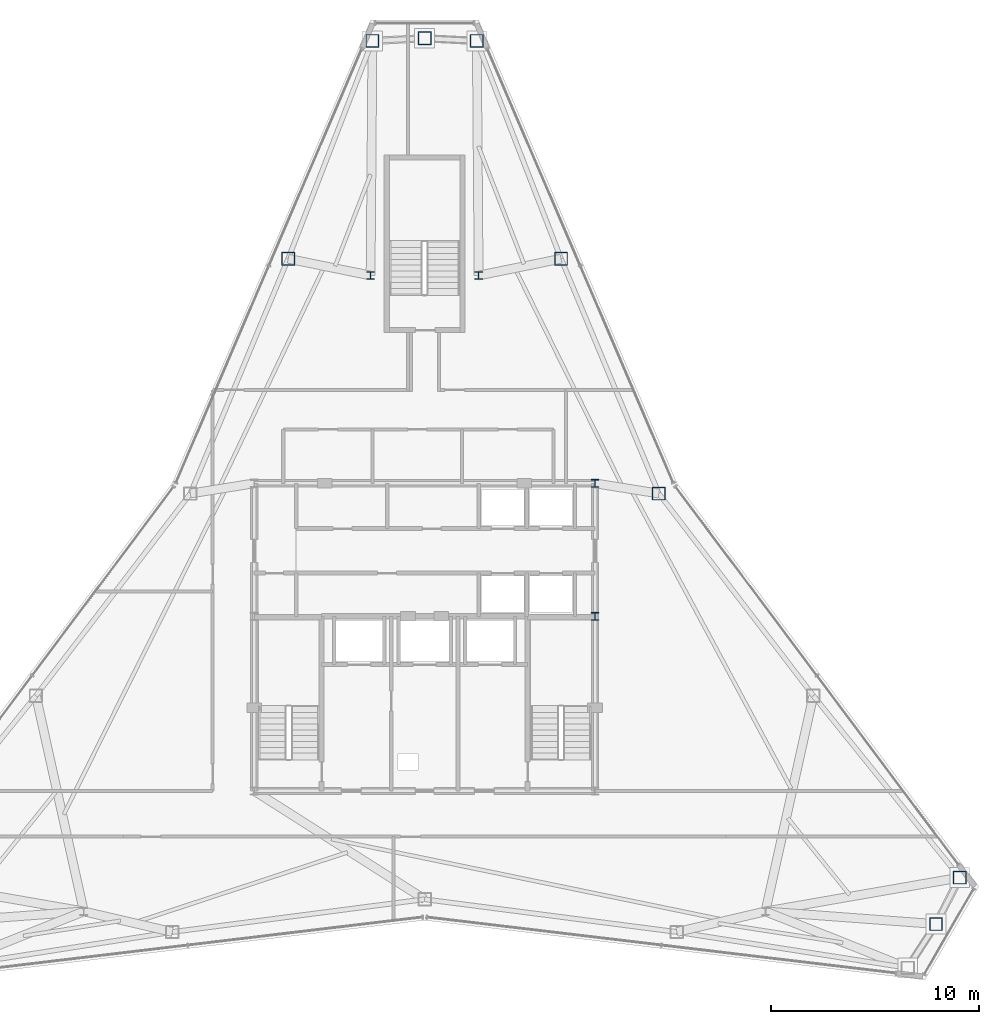
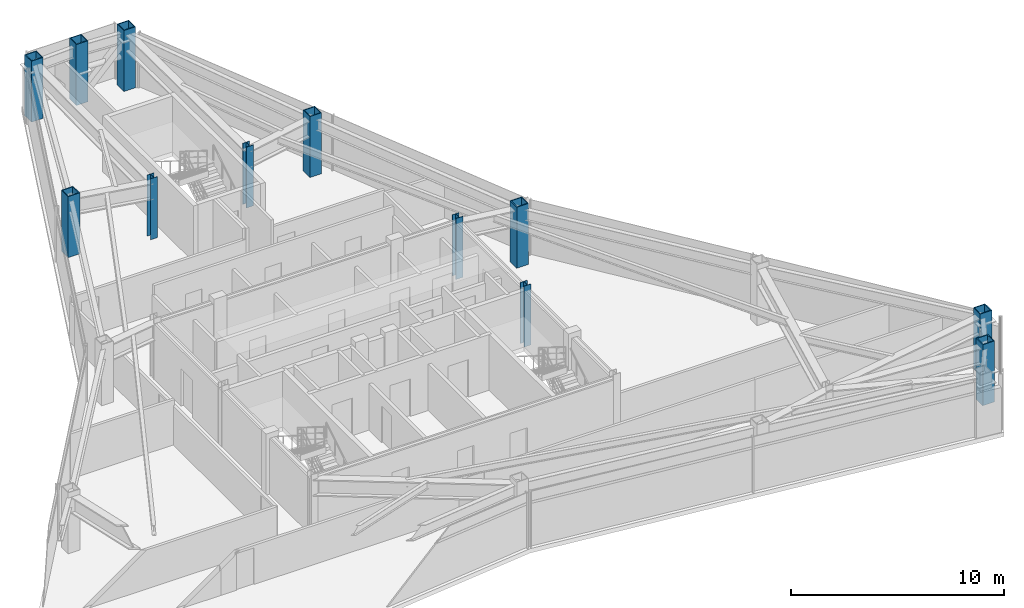
# One storey, part 2 of 12: 12 columns.
"""IFC4 building model written with IfcOpenShell, lengths in metres."""

from ifc_helpers import new_model, si_unit, direction, frame, origin, origin_2d, place, context, subcontext, project, spatial, hollow_rectangle, i_section, extrude, material, material_profile, profile_set, type_object, element, save


model = new_model("IFC4")

# Units and contexts
model_context = context("Model", 3, precision=1e-05, world=origin(), true_north=direction((0.0, 1.0)))
body_context = subcontext(model_context, "Body", "Model", "MODEL_VIEW")
ifc_project = project(units=[si_unit("LENGTHUNIT", "METRE"), si_unit("AREAUNIT", "SQUARE_METRE"), si_unit("VOLUMEUNIT", "CUBIC_METRE"), si_unit("PLANEANGLEUNIT", "RADIAN"), si_unit("MASSUNIT", "GRAM", prefix="KILO")], contexts=[model_context])

# Site, building, storey
site_placement = place(None, origin())
site = spatial("IfcSite", under=ifc_project, at=site_placement, CompositionType="ELEMENT")
building_placement = place(site_placement, origin())
building = spatial("IfcBuilding", under=site, at=building_placement, Name="Varakhsha Concourse Tower", CompositionType="ELEMENT")
storey_placement = place(building_placement, frame((0.0, 0.0, 286.5)))
storey = spatial("IfcBuildingStorey", under=building, at=storey_placement, Name="L81", CompositionType="ELEMENT", Elevation=286.5)

# Columns
ifc_material_1 = material(Name="Structural Steel ASTM A992 Grade 50", Category="steel")
ifc_material_profile_1 = material_profile(ifc_material_1, i_section(OverallWidth=0.3740234375, OverallDepth=0.3720703125, WebThickness=0.01611328125, FlangeThickness=0.02587890625, at=origin_2d()), Name="W14X132")
ifc_profile_set_1 = profile_set([ifc_material_profile_1], Name="Structural Steel ASTM A992 Grade 50")
column_type_1 = type_object("IfcColumnType", Name="CL-CORE-W14X132", PredefinedType="COLUMN", material=ifc_profile_set_1)
for number, where, z_axis, x_axis, name in (
    (1, (48.199951171875, 24.800048828125, 0.0), (0.0, 0.0, 1.0), (1.0, 0.0, 0.0), "L81 Core Column CC-ME"),
    (2, (48.199951171875, 31.199951171875, 0.0), (0.0, 0.0, 1.0), (1.0, 0.0, 0.0), "L81 Core Column CC-NE"),
    (3, (37.39990234375, 41.199951171875, 0.0), (0.0, 0.0, 1.0), (1.0, 0.0, 0.0), "L81 Core Column NS-W"),
    (4, (42.60009765625, 41.199951171875, 0.0), (0.0, 0.0, 1.0), (1.0, 0.0, 0.0), "L81 Core Column NS-E"),
):
    element("IfcColumn", number, at=place(storey_placement, frame(where, z_axis=z_axis, x_axis=x_axis)), inside=storey, type_object=column_type_1, Name=name, PredefinedType="COLUMN", context=body_context, shape_type="SweptSolid", body=[
        extrude(i_section(OverallWidth=0.3740234375, OverallDepth=0.3720703125, WebThickness=0.01611328125, FlangeThickness=0.02587890625, at=origin_2d()), origin(), (0.0, 0.0, 1.0), 3.5),
    ])
ifc_material_2 = material(Name="Structural Steel ASTM A572 Grade 50", Category="steel")
ifc_material_profile_2 = material_profile(ifc_material_2, hollow_rectangle(XDim=0.639892578125, YDim=0.639892578125, WallThickness=0.044921875, at=origin_2d()), Name="BOX 640x640x45")
ifc_profile_set_2 = profile_set([ifc_material_profile_2], Name="Structural Steel ASTM A572 Grade 50")
column_type_2 = type_object("IfcColumnType", Name="CL-TUBE-640", PredefinedType="COLUMN", material=ifc_profile_set_2)
for number, where, z_axis, x_axis, name in (
    (5, (42.510498046875, 52.48876953125, 0.0), (0.0, 0.0, 1.0), (1.0, 0.0, 0.0), "L81 Framed-Tube Column TC01"),
    (6, (40.0, 52.61669921875, 0.0), (0.0, 0.0, 1.0), (1.0, 0.0, 0.0), "L81 Framed-Tube Column TC02"),
    (7, (37.489501953125, 52.48876953125, 0.0), (0.0, 0.0, 1.0), (1.0, 0.0, 0.0), "L81 Framed-Tube Column TC03"),
    (8, (33.43505859375, 42.008544921875, 0.0), (0.0, 0.0, 1.0), (1.0, 0.0, 0.0), "L81 Framed-Tube Column TC04"),
    (9, (64.609619140625, 9.99169921875, 0.0), (0.0, 0.0, 1.0), (1.0, 0.0, 0.0), "L81 Framed-Tube Column TC14"),
    (10, (65.75390625, 12.229736328125, 0.0), (0.0, 0.0, 1.0), (1.0, 0.0, 0.0), "L81 Framed-Tube Column TC15"),
    (11, (51.271240234375, 30.70751953125, 0.0), (0.0, 0.0, 1.0), (1.0, 0.0, 0.0), "L81 Framed-Tube Column TC17"),
    (12, (46.56494140625, 42.008544921875, 0.0), (0.0, 0.0, 1.0), (1.0, 0.0, 0.0), "L81 Framed-Tube Column TC18"),
):
    element("IfcColumn", number, at=place(storey_placement, frame(where, z_axis=z_axis, x_axis=x_axis)), inside=storey, type_object=column_type_2, Name=name, PredefinedType="COLUMN", context=body_context, shape_type="SweptSolid", body=[
        extrude(hollow_rectangle(XDim=0.639892578125, YDim=0.639892578125, WallThickness=0.044921875, at=origin_2d()), origin(), (0.0, 0.0, 1.0), 3.5),
    ])

save(model, "model.ifc")
